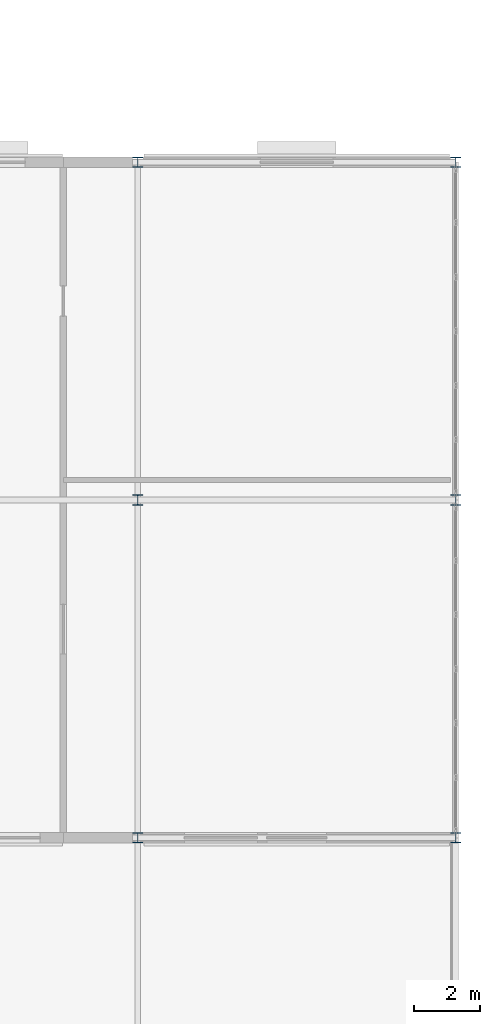
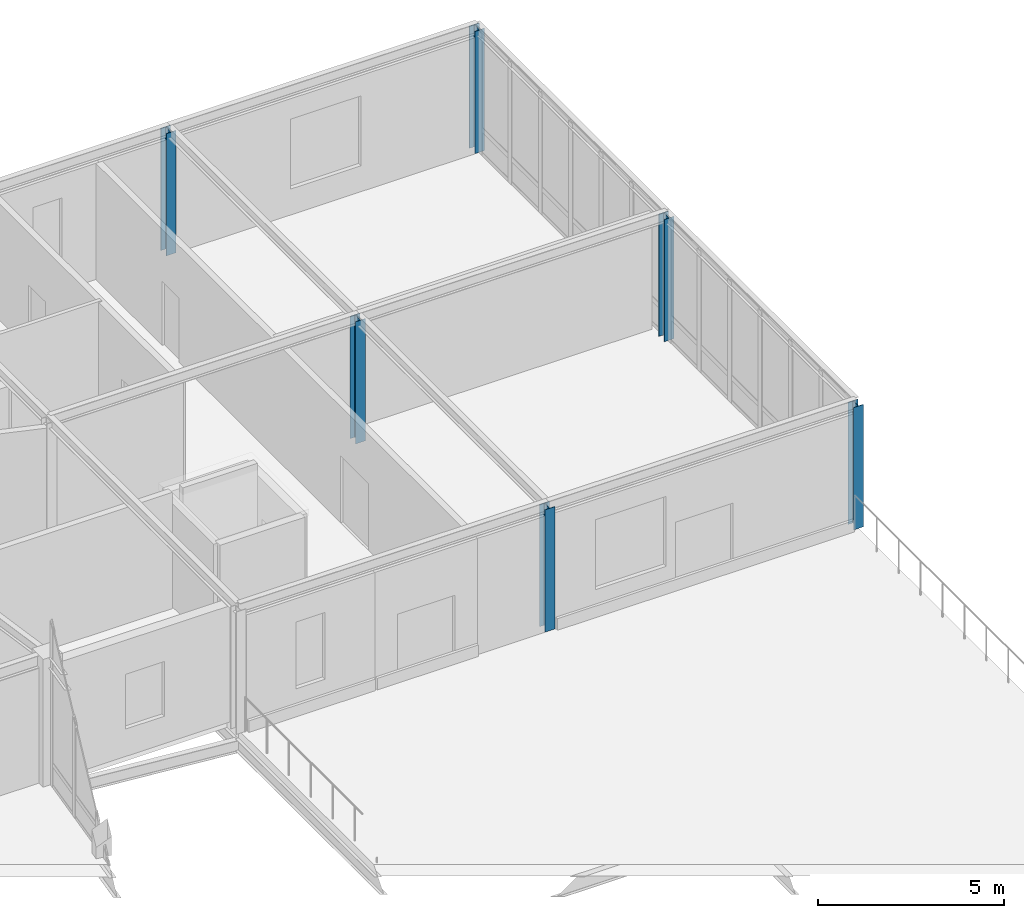
# One storey, part 17 of 185: 6 columns.
"""IFC4 building model written with IfcOpenShell, lengths in metres."""

from ifc_helpers import new_model, si_unit, direction, frame, origin, origin_2d, place, context, subcontext, project, spatial, i_section, extrude, material, material_profile, profile_set, type_object, element, save


model = new_model("IFC4")

# Units and contexts
model_context = context("Model", 3, precision=1e-05, world=origin(), true_north=direction((0.0, 1.0)))
body_context = subcontext(model_context, "Body", "Model", "MODEL_VIEW")
ifc_project = project(units=[si_unit("LENGTHUNIT", "METRE"), si_unit("AREAUNIT", "SQUARE_METRE"), si_unit("VOLUMEUNIT", "CUBIC_METRE"), si_unit("PLANEANGLEUNIT", "RADIAN"), si_unit("MASSUNIT", "GRAM", prefix="KILO")], contexts=[model_context])

# Site, building, storey
site_placement = place(None, origin())
site = spatial("IfcSite", under=ifc_project, at=site_placement, CompositionType="ELEMENT")
building_placement = place(site_placement, origin())
building = spatial("IfcBuilding", under=site, at=building_placement, Name="Vondelvale Polytechnic", CompositionType="ELEMENT")
storey_placement = place(building_placement, frame((0.0, 0.0, 9.60009765625)))
storey = spatial("IfcBuildingStorey", under=building, at=storey_placement, Name="L02", CompositionType="ELEMENT", Elevation=9.60009765625)

# Columns
ifc_material = material(Name="Steel 300PLUS (fy = 300 MPa)", Category="steel")
ifc_material_profile = material_profile(ifc_material, i_section(OverallWidth=0.304931640625, OverallDepth=0.30810546875, WebThickness=0.010009765625, FlangeThickness=0.015380859375, FilletRadius=0.0166015625, at=origin_2d()), Name="310UC96.8")
ifc_profile_set = profile_set([ifc_material_profile], Name="Steel 300PLUS (fy = 300 MPa)")
column_type = type_object("IfcColumnType", Name="COL-UC310L", PredefinedType="COLUMN", material=ifc_profile_set)
for number, where, z_axis, x_axis, name in (
    (1, (163.199951171875, 71.39990234375, 0.0), (0.0, 0.0, 1.0), (1.0, 0.0, 0.0), "L02 East pavilion column (163.2,71.4)"),
    (2, (163.199951171875, 81.60009765625, 0.0), (0.0, 0.0, 1.0), (1.0, 0.0, 0.0), "L02 East pavilion column (163.2,81.6)"),
    (3, (163.199951171875, 91.800048828125, 0.0), (0.0, 0.0, 1.0), (1.0, 0.0, 0.0), "L02 East pavilion column (163.2,91.8)"),
    (4, (172.800048828125, 71.39990234375, 0.0), (0.0, 0.0, 1.0), (1.0, 0.0, 0.0), "L02 East pavilion column (172.8,71.4)"),
    (5, (172.800048828125, 81.60009765625, 0.0), (0.0, 0.0, 1.0), (1.0, 0.0, 0.0), "L02 East pavilion column (172.8,81.6)"),
    (6, (172.800048828125, 91.800048828125, 0.0), (0.0, 0.0, 1.0), (1.0, 0.0, 0.0), "L02 East pavilion column (172.8,91.8)"),
):
    element("IfcColumn", number, at=place(storey_placement, frame(where, z_axis=z_axis, x_axis=x_axis)), inside=storey, type_object=column_type, Name=name, PredefinedType="COLUMN", context=body_context, shape_type="SweptSolid", body=[
        extrude(i_section(OverallWidth=0.304931640625, OverallDepth=0.30810546875, WebThickness=0.010009765625, FlangeThickness=0.015380859375, FilletRadius=0.0166015625, at=origin_2d()), origin(), (0.0, 0.0, 1.0), 4.02001953125),
    ])

save(model, "model.ifc")
